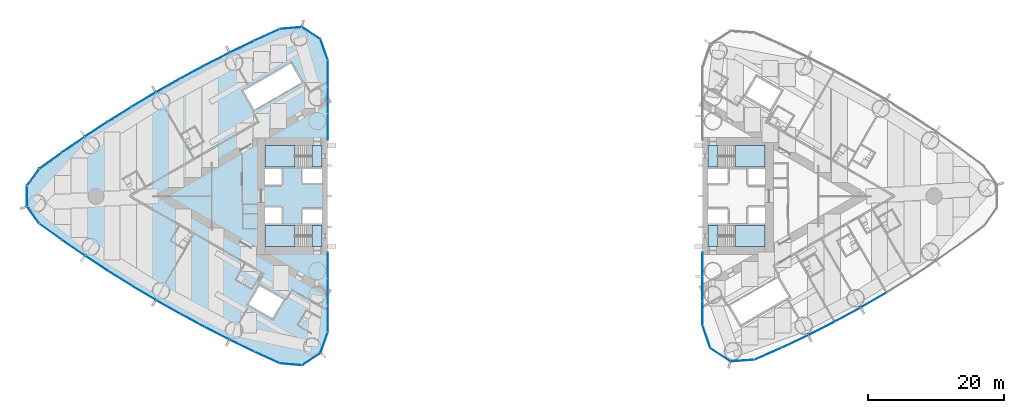
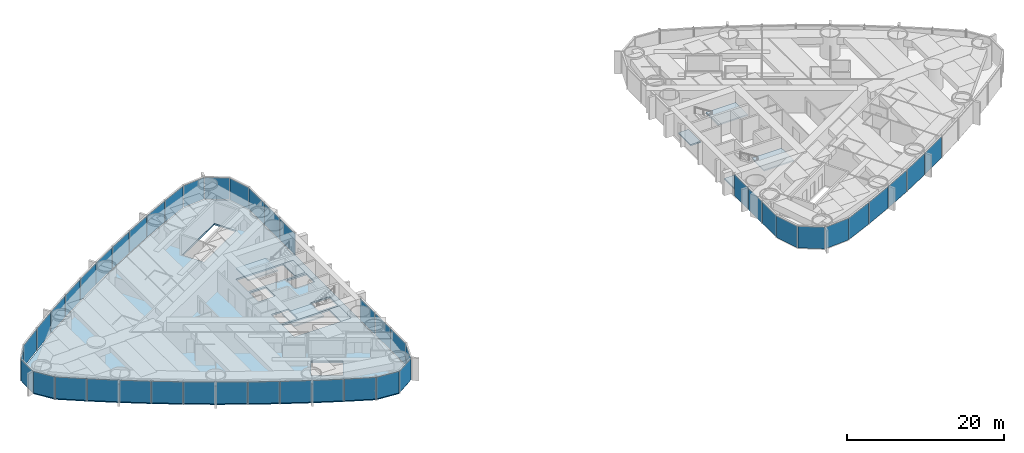
# One storey, part 9 of 18: 46 plates, 9 slabs, 6 elements without a shape of their own.
"""IFC4 building model written with IfcOpenShell, lengths in metres."""

from ifc_helpers import new_model, si_unit, direction, frame, origin, origin_2d, place, context, subcontext, project, spatial, polyline, rectangle, outline, extrude, material, layer, layer_set, type_object, element, aggregate, save


model = new_model("IFC4")

# Units and contexts
model_context = context("Model", 3, precision=1e-05, world=origin(), true_north=direction((0.0, 1.0)))
body_context = subcontext(model_context, "Body", "Model", "MODEL_VIEW")
ifc_project = project(units=[si_unit("LENGTHUNIT", "METRE"), si_unit("AREAUNIT", "SQUARE_METRE"), si_unit("VOLUMEUNIT", "CUBIC_METRE"), si_unit("PLANEANGLEUNIT", "RADIAN"), si_unit("MASSUNIT", "GRAM", prefix="KILO")], contexts=[model_context])

# Site, building, storey
site_placement = place(None, origin())
site = spatial("IfcSite", under=ifc_project, at=site_placement, CompositionType="ELEMENT")
building_placement = place(site_placement, origin())
building = spatial("IfcBuilding", under=site, at=building_placement, Name="Lancet Gate Hotel", CompositionType="ELEMENT")
storey_placement = place(building_placement, frame((0.0, 0.0, 97.60009765625)))
storey = spatial("IfcBuildingStorey", under=building, at=storey_placement, Name="L25", CompositionType="ELEMENT", Elevation=97.60009765625)

# Slab
ifc_material_1 = material(Name="Concrete C50/60", Category="concrete")
ifc_layer_1 = layer(ifc_material_1, 0.25)
ifc_layer_set_1 = layer_set([ifc_layer_1], Name="Floor slab 250")
slab_type_1 = type_object("IfcSlabType", Name="Floor slab 250", PredefinedType="FLOOR", material=ifc_layer_set_1)
slab_1_placement = place(storey_placement, frame((0.0, 0.0, -0.25)))
element("IfcSlab", 1, at=slab_1_placement, inside=storey, type_object=slab_type_1, Name="T1 L25 floor slab", PredefinedType="FLOOR", context=body_context, shape_type="SweptSolid", body=[
    extrude(outline(polyline([(-27.5, 8.60009765625), (-27.6201171875, 8.60009765625), (-27.6201171875, 19.950927734375), (-28.65966796875, 22.970947265625), (-31.320068359375, 24.69921875), (-34.5009765625, 24.421630859375), (-38.201416015625, 22.727783203125), (-41.8818359375, 20.946044921875), (-45.523193359375, 19.085693359375), (-49.12353515625, 17.147216796875), (-52.681396484375, 15.131591796875), (-56.195068359375, 13.0400390625), (-59.662841796875, 10.873291015625), (-63.0830078125, 8.63232421875), (-66.454345703125, 6.318115234375), (-69.76025390625, 3.94287109375), (-71.523193359375, 1.49755859375), (-71.523193359375, -1.49755859375), (-69.76025390625, -3.94287109375), (-66.454345703125, -6.318115234375), (-63.0830078125, -8.63232421875), (-59.662841796875, -10.873291015625), (-56.195068359375, -13.0400390625), (-52.681396484375, -15.131591796875), (-49.12353515625, -17.147216796875), (-45.523193359375, -19.085693359375), (-41.8818359375, -20.946044921875), (-38.201416015625, -22.727783203125), (-34.5009765625, -24.421630859375), (-31.320068359375, -24.69921875), (-28.65966796875, -22.970947265625), (-27.6201171875, -19.950927734375), (-27.6201171875, -8.60009765625), (-27.5, -8.60009765625), (-27.5, -8.199951171875), (-27.5, 8.199951171875), (-27.5, 8.60009765625)]), holes=[polyline([(-36.699951171875, 7.39990234375), (-36.699951171875, 4.300048828125), (-28.300048828125, 4.300048828125), (-28.300048828125, 7.39990234375), (-36.699951171875, 7.39990234375)]), polyline([(-28.300048828125, 4.0), (-31.199951171875, 4.0), (-31.199951171875, 1.89990234375), (-28.300048828125, 1.89990234375), (-28.300048828125, 4.0)]), polyline([(-34.25, 4.0), (-36.699951171875, 4.0), (-36.699951171875, 1.64990234375), (-34.25, 1.64990234375), (-34.25, 4.0)]), polyline([(-36.699951171875, -1.64990234375), (-36.699951171875, -4.0), (-34.25, -4.0), (-34.25, -1.64990234375), (-36.699951171875, -1.64990234375)]), polyline([(-28.300048828125, -1.89990234375), (-31.199951171875, -1.89990234375), (-31.199951171875, -4.0), (-28.300048828125, -4.0), (-28.300048828125, -1.89990234375)]), polyline([(-28.300048828125, -4.300048828125), (-36.699951171875, -4.300048828125), (-36.699951171875, -7.39990234375), (-28.300048828125, -7.39990234375), (-28.300048828125, -4.300048828125)]), polyline([(-31.2900390625, 16.73095703125), (-32.889892578125, 19.501953125), (-39.904052734375, 15.451904296875), (-38.303955078125, 12.680908203125), (-31.2900390625, 16.73095703125)]), polyline([(-33.97412109375, -15.180908203125), (-37.52490234375, -13.131103515625), (-39.125, -15.902099609375), (-35.573974609375, -17.951904296875), (-33.97412109375, -15.180908203125)])]), origin(), (0.0, 0.0, 1.0), 0.25),
])

# Stair, slabs
ifc_material_2 = material(Name="Exit stair 20 risers 1500")
stair_type = type_object("IfcStairType", Name="Exit stair 20 risers 1500", PredefinedType="HALF_TURN_STAIR", material=ifc_material_2)
stair_1_placement = place(storey_placement, origin())
stair_1 = element("IfcStair", 2, at=stair_1_placement, inside=storey, type_object=stair_type, Name="T1 stair 1 L25", PredefinedType="HALF_TURN_STAIR")
ifc_material_3 = material(Name="Concrete C40/50", Category="concrete")
ifc_layer_2 = layer(ifc_material_3, 0.199951171875)
ifc_layer_set_2 = layer_set([ifc_layer_2], Name="Stair landing 200")
slab_type_2 = type_object("IfcSlabType", Name="Stair landing 200", PredefinedType="LANDING", material=ifc_layer_set_2)
slab_2_placement = place(storey_placement, frame((0.0, 0.0, -0.2001953125)))
slab_2 = element("IfcSlab", 3, at=slab_2_placement, type_object=slab_type_2, Name="ST1 landing 1", PredefinedType="LANDING", context=body_context, shape_type="SweptSolid", body=[
    extrude(outline(polyline([(-28.300048828125, 7.39990234375), (-29.800048828125, 7.39990234375), (-29.800048828125, 4.300048828125), (-28.300048828125, 4.300048828125), (-28.300048828125, 7.39990234375)])), origin(), (0.0, 0.0, 1.0), 0.2001953125),
])
slab_3_placement = place(storey_placement, frame((0.0, 0.0, 1.5498046875)))
slab_3 = element("IfcSlab", 4, at=slab_3_placement, type_object=slab_type_2, Name="ST1 landing 2", PredefinedType="LANDING", context=body_context, shape_type="SweptSolid", body=[
    extrude(outline(polyline([(-32.320068359375, 7.39990234375), (-36.699951171875, 7.39990234375), (-36.699951171875, 4.300048828125), (-32.320068359375, 4.300048828125), (-32.320068359375, 7.39990234375)])), origin(), (0.0, 0.0, 1.0), 0.2001953125),
])
aggregate(stair_1, [slab_2, slab_3])

stair_2_placement = place(storey_placement, origin())
stair_2 = element("IfcStair", 5, at=stair_2_placement, inside=storey, type_object=stair_type, Name="T1 stair 2 L25", PredefinedType="HALF_TURN_STAIR")
slab_4_placement = place(storey_placement, frame((0.0, 0.0, -0.2001953125)))
slab_4 = element("IfcSlab", 6, at=slab_4_placement, type_object=slab_type_2, Name="ST2 landing 1", PredefinedType="LANDING", context=body_context, shape_type="SweptSolid", body=[
    extrude(outline(polyline([(-28.300048828125, -4.300048828125), (-29.800048828125, -4.300048828125), (-29.800048828125, -7.39990234375), (-28.300048828125, -7.39990234375), (-28.300048828125, -4.300048828125)])), origin(), (0.0, 0.0, 1.0), 0.2001953125),
])
slab_5_placement = place(storey_placement, frame((0.0, 0.0, 1.5498046875)))
slab_5 = element("IfcSlab", 7, at=slab_5_placement, type_object=slab_type_2, Name="ST2 landing 2", PredefinedType="LANDING", context=body_context, shape_type="SweptSolid", body=[
    extrude(outline(polyline([(-32.320068359375, -4.300048828125), (-36.699951171875, -4.300048828125), (-36.699951171875, -7.39990234375), (-32.320068359375, -7.39990234375), (-32.320068359375, -4.300048828125)])), origin(), (0.0, 0.0, 1.0), 0.2001953125),
])
aggregate(stair_2, [slab_4, slab_5])

stair_3_placement = place(storey_placement, origin())
stair_3 = element("IfcStair", 8, at=stair_3_placement, inside=storey, type_object=stair_type, Name="T2 stair 1 L25", PredefinedType="HALF_TURN_STAIR")
slab_6_placement = place(storey_placement, frame((0.0, 0.0, -0.2001953125)))
slab_6 = element("IfcSlab", 9, at=slab_6_placement, type_object=slab_type_2, Name="ST3 landing 1", PredefinedType="LANDING", context=body_context, shape_type="SweptSolid", body=[
    extrude(outline(polyline([(28.300048828125, -7.39990234375), (29.800048828125, -7.39990234375), (29.800048828125, -4.300048828125), (28.300048828125, -4.300048828125), (28.300048828125, -7.39990234375)])), origin(), (0.0, 0.0, 1.0), 0.2001953125),
])
slab_7_placement = place(storey_placement, frame((0.0, 0.0, 1.5498046875)))
slab_7 = element("IfcSlab", 10, at=slab_7_placement, type_object=slab_type_2, Name="ST3 landing 2", PredefinedType="LANDING", context=body_context, shape_type="SweptSolid", body=[
    extrude(outline(polyline([(32.320068359375, -7.39990234375), (36.699951171875, -7.39990234375), (36.699951171875, -4.300048828125), (32.320068359375, -4.300048828125), (32.320068359375, -7.39990234375)])), origin(), (0.0, 0.0, 1.0), 0.2001953125),
])
aggregate(stair_3, [slab_6, slab_7])

stair_4_placement = place(storey_placement, origin())
stair_4 = element("IfcStair", 11, at=stair_4_placement, inside=storey, type_object=stair_type, Name="T2 stair 2 L25", PredefinedType="HALF_TURN_STAIR")
slab_8_placement = place(storey_placement, frame((0.0, 0.0, -0.2001953125)))
slab_8 = element("IfcSlab", 12, at=slab_8_placement, type_object=slab_type_2, Name="ST4 landing 1", PredefinedType="LANDING", context=body_context, shape_type="SweptSolid", body=[
    extrude(outline(polyline([(28.300048828125, 4.300048828125), (29.800048828125, 4.300048828125), (29.800048828125, 7.39990234375), (28.300048828125, 7.39990234375), (28.300048828125, 4.300048828125)])), origin(), (0.0, 0.0, 1.0), 0.2001953125),
])
slab_9_placement = place(storey_placement, frame((0.0, 0.0, 1.5498046875)))
slab_9 = element("IfcSlab", 13, at=slab_9_placement, type_object=slab_type_2, Name="ST4 landing 2", PredefinedType="LANDING", context=body_context, shape_type="SweptSolid", body=[
    extrude(outline(polyline([(32.320068359375, 4.300048828125), (36.699951171875, 4.300048828125), (36.699951171875, 7.39990234375), (32.320068359375, 7.39990234375), (32.320068359375, 4.300048828125)])), origin(), (0.0, 0.0, 1.0), 0.2001953125),
])
aggregate(stair_4, [slab_8, slab_9])

# Curtain wall, plates
ifc_material_4 = material(Name="Aluminium curtain wall", Category="aluminium")
curtain_wall_type = type_object("IfcCurtainWallType", Name="Tower unitised curtain wall", PredefinedType="USERDEFINED", material=ifc_material_4)
curtain_wall_1_placement = place(storey_placement, origin())
curtain_wall_1 = element("IfcCurtainWall", 14, at=curtain_wall_1_placement, inside=storey, type_object=curtain_wall_type, Name="T1 L25 curtain wall 1", ObjectType="UNITISED CURTAIN WALL", PredefinedType="USERDEFINED")
ifc_material_5 = material(Name="Glass double glazed unit 8-16-6", Category="glass")
ifc_layer_3 = layer(ifc_material_5, 0.030029296875)
ifc_layer_set_3 = layer_set([ifc_layer_3], Name="Vision panel double glazed")
plate_type = type_object("IfcPlateType", Name="Vision panel double glazed", PredefinedType="CURTAIN_PANEL", material=ifc_layer_set_3)
plate_1_placement = place(storey_placement, frame((-27.5, 10.161865234375, -0.000244140625), z_axis=(0.0, 0.0, 1.0), x_axis=(0.0, 1.0, 0.0)))
plate_1 = element("IfcPlate", 15, at=plate_1_placement, type_object=plate_type, Name="T1 L25 curtain wall 1 panel 1", PredefinedType="CURTAIN_PANEL", context=body_context, shape_type="SweptSolid", body=[
    extrude(rectangle(XDim=3.858642578125, YDim=0.030029296875, at=origin_2d()), origin(), (0.0, 0.0, 1.0), 3.35009765625),
])
plate_2_placement = place(storey_placement, frame((-27.5, 14.08544921875, -0.000244140625), z_axis=(0.0, 0.0, 1.0), x_axis=(0.0, 1.0, 0.0)))
plate_2 = element("IfcPlate", 16, at=plate_2_placement, type_object=plate_type, Name="T1 L25 curtain wall 1 panel 2", PredefinedType="CURTAIN_PANEL", context=body_context, shape_type="SweptSolid", body=[
    extrude(rectangle(XDim=3.858642578125, YDim=0.030029296875, at=origin_2d()), origin(), (0.0, 0.0, 1.0), 3.35009765625),
])
plate_3_placement = place(storey_placement, frame((-27.5, 18.00927734375, -0.000244140625), z_axis=(0.0, 0.0, 1.0), x_axis=(0.0, 1.0, 0.0)))
plate_3 = element("IfcPlate", 17, at=plate_3_placement, type_object=plate_type, Name="T1 L25 curtain wall 1 panel 3", PredefinedType="CURTAIN_PANEL", context=body_context, shape_type="SweptSolid", body=[
    extrude(rectangle(XDim=3.858642578125, YDim=0.030029296875, at=origin_2d()), origin(), (0.0, 0.0, 1.0), 3.35009765625),
])
plate_4_placement = place(storey_placement, frame((-28.02978515625, 21.510009765625, -0.000244140625), z_axis=(0.0, 0.0, 1.0), x_axis=(-0.325515820766, 0.945536593914, 0.0)))
plate_4 = element("IfcPlate", 18, at=plate_4_placement, type_object=plate_type, Name="T1 L25 curtain wall 1 panel 4", PredefinedType="CURTAIN_PANEL", context=body_context, shape_type="SweptSolid", body=[
    extrude(rectangle(XDim=3.190185546875, YDim=0.030029296875, at=origin_2d()), origin(), (0.0, 0.0, 1.0), 3.35009765625),
])
plate_5_placement = place(storey_placement, frame((-29.924560546875, 23.935546875, -0.000244140625), z_axis=(0.0, 0.0, 1.0), x_axis=(-0.838580121261, 0.544778285385, 0.0)))
plate_5 = element("IfcPlate", 19, at=plate_5_placement, type_object=plate_type, Name="T1 L25 curtain wall 1 panel 5", PredefinedType="CURTAIN_PANEL", context=body_context, shape_type="SweptSolid", body=[
    extrude(rectangle(XDim=3.190185546875, YDim=0.030029296875, at=origin_2d()), origin(), (0.0, 0.0, 1.0), 3.35009765625),
])
plate_6_placement = place(storey_placement, frame((-32.91064453125, 24.680908203125, -0.000244140625), z_axis=(0.0, 0.0, 1.0), x_axis=(-0.996218779711, -0.086880049207, 0.0)))
plate_6 = element("IfcPlate", 20, at=plate_6_placement, type_object=plate_type, Name="T1 L25 curtain wall 1 panel 6", PredefinedType="CURTAIN_PANEL", context=body_context, shape_type="SweptSolid", body=[
    extrude(rectangle(XDim=3.190185546875, YDim=0.030029296875, at=origin_2d()), origin(), (0.0, 0.0, 1.0), 3.35009765625),
])
plate_7_placement = place(storey_placement, frame((-36.392333984375, 23.68798828125, -0.000244140625), z_axis=(0.0, 0.0, 1.0), x_axis=(-0.909252721243, -0.416244506166, 0.0)))
plate_7 = element("IfcPlate", 21, at=plate_7_placement, type_object=plate_type, Name="T1 L25 curtain wall 1 panel 7", PredefinedType="CURTAIN_PANEL", context=body_context, shape_type="SweptSolid", body=[
    extrude(rectangle(XDim=4.026611328125, YDim=0.030029296875, at=origin_2d()), origin(), (0.0, 0.0, 1.0), 3.35009765625),
])
plate_8_placement = place(storey_placement, frame((-40.093994140625, 21.945068359375, -0.000244140625), z_axis=(0.0, 0.0, 1.0), x_axis=(-0.900081672047, -0.435721222395, 0.0)))
plate_8 = element("IfcPlate", 22, at=plate_8_placement, type_object=plate_type, Name="T1 L25 curtain wall 1 panel 8", PredefinedType="CURTAIN_PANEL", context=body_context, shape_type="SweptSolid", body=[
    extrude(rectangle(XDim=4.026611328125, YDim=0.030029296875, at=origin_2d()), origin(), (0.0, 0.0, 1.0), 3.35009765625),
])
plate_9_placement = place(storey_placement, frame((-43.757080078125, 20.122802734375, -0.000244140625), z_axis=(0.0, 0.0, 1.0), x_axis=(-0.890493479451, -0.45499600334, 0.0)))
plate_9 = element("IfcPlate", 23, at=plate_9_placement, type_object=plate_type, Name="T1 L25 curtain wall 1 panel 9", PredefinedType="CURTAIN_PANEL", context=body_context, shape_type="SweptSolid", body=[
    extrude(rectangle(XDim=4.026611328125, YDim=0.030029296875, at=origin_2d()), origin(), (0.0, 0.0, 1.0), 3.35009765625),
])
plate_10_placement = place(storey_placement, frame((-47.380126953125, 18.221923828125, -0.000244140625), z_axis=(0.0, 0.0, 1.0), x_axis=(-0.880492587094, -0.474059916121, 0.0)))
plate_10 = element("IfcPlate", 24, at=plate_10_placement, type_object=plate_type, Name="T1 L25 curtain wall 1 panel 10", PredefinedType="CURTAIN_PANEL", context=body_context, shape_type="SweptSolid", body=[
    extrude(rectangle(XDim=4.026611328125, YDim=0.030029296875, at=origin_2d()), origin(), (0.0, 0.0, 1.0), 3.35009765625),
])
plate_11_placement = place(storey_placement, frame((-50.961669921875, 16.243896484375, -0.000244140625), z_axis=(0.0, 0.0, 1.0), x_axis=(-0.870083629903, -0.49290412554, 0.0)))
plate_11 = element("IfcPlate", 25, at=plate_11_placement, type_object=plate_type, Name="T1 L25 curtain wall 1 panel 11", PredefinedType="CURTAIN_PANEL", context=body_context, shape_type="SweptSolid", body=[
    extrude(rectangle(XDim=4.026611328125, YDim=0.030029296875, at=origin_2d()), origin(), (0.0, 0.0, 1.0), 3.35009765625),
])
plate_12_placement = place(storey_placement, frame((-54.49951171875, 14.18896484375, -0.000244140625), z_axis=(0.0, 0.0, 1.0), x_axis=(-0.859271431916, -0.511519898238, 0.0)))
plate_12 = element("IfcPlate", 26, at=plate_12_placement, type_object=plate_type, Name="T1 L25 curtain wall 1 panel 12", PredefinedType="CURTAIN_PANEL", context=body_context, shape_type="SweptSolid", body=[
    extrude(rectangle(XDim=4.026611328125, YDim=0.030029296875, at=origin_2d()), origin(), (0.0, 0.0, 1.0), 3.35009765625),
])
plate_13_placement = place(storey_placement, frame((-57.992431640625, 12.058349609375, -0.000244140625), z_axis=(0.0, 0.0, 1.0), x_axis=(-0.848061004052, -0.529898606722, 0.0)))
plate_13 = element("IfcPlate", 27, at=plate_13_placement, type_object=plate_type, Name="T1 L25 curtain wall 1 panel 13", PredefinedType="CURTAIN_PANEL", context=body_context, shape_type="SweptSolid", body=[
    extrude(rectangle(XDim=4.026611328125, YDim=0.030029296875, at=origin_2d()), origin(), (0.0, 0.0, 1.0), 3.35009765625),
])
plate_14_placement = place(storey_placement, frame((-61.438720703125, 9.85302734375, -0.000244140625), z_axis=(0.0, 0.0, 1.0), x_axis=(-0.836457541791, -0.54803173337, 0.0)))
plate_14 = element("IfcPlate", 28, at=plate_14_placement, type_object=plate_type, Name="T1 L25 curtain wall 1 panel 14", PredefinedType="CURTAIN_PANEL", context=body_context, shape_type="SweptSolid", body=[
    extrude(rectangle(XDim=4.026611328125, YDim=0.030029296875, at=origin_2d()), origin(), (0.0, 0.0, 1.0), 3.35009765625),
])
plate_15_placement = place(storey_placement, frame((-64.836669921875, 7.57421875, -0.000244140625), z_axis=(0.0, 0.0, 1.0), x_axis=(-0.824466422775, -0.565910874357, 0.0)))
plate_15 = element("IfcPlate", 29, at=plate_15_placement, type_object=plate_type, Name="T1 L25 curtain wall 1 panel 15", PredefinedType="CURTAIN_PANEL", context=body_context, shape_type="SweptSolid", body=[
    extrude(rectangle(XDim=4.026611328125, YDim=0.030029296875, at=origin_2d()), origin(), (0.0, 0.0, 1.0), 3.35009765625),
])
plate_16_placement = place(storey_placement, frame((-68.184814453125, 5.22265625, -0.000244140625), z_axis=(0.0, 0.0, 1.0), x_axis=(-0.812093204276, -0.583527743615, 0.0)))
plate_16 = element("IfcPlate", 30, at=plate_16_placement, type_object=plate_type, Name="T1 L25 curtain wall 1 panel 16", PredefinedType="CURTAIN_PANEL", context=body_context, shape_type="SweptSolid", body=[
    extrude(rectangle(XDim=4.026611328125, YDim=0.030029296875, at=origin_2d()), origin(), (0.0, 0.0, 1.0), 3.35009765625),
])
plate_17_placement = place(storey_placement, frame((-70.74462890625, 2.782470703125, -0.000244140625), z_axis=(0.0, 0.0, 1.0), x_axis=(-0.584808645706, -0.811171281486, 0.0)))
plate_17 = element("IfcPlate", 31, at=plate_17_placement, type_object=plate_type, Name="T1 L25 curtain wall 1 panel 17", PredefinedType="CURTAIN_PANEL", context=body_context, shape_type="SweptSolid", body=[
    extrude(rectangle(XDim=3.0078125, YDim=0.030029296875, at=origin_2d()), origin(), (0.0, 0.0, 1.0), 3.35009765625),
])
plate_18_placement = place(storey_placement, frame((-71.64306640625, 0.0, -0.000244140625), z_axis=(0.0, 0.0, 1.0), x_axis=(0.0, -1.0, 0.0)))
plate_18 = element("IfcPlate", 32, at=plate_18_placement, type_object=plate_type, Name="T1 L25 curtain wall 1 panel 18", PredefinedType="CURTAIN_PANEL", context=body_context, shape_type="SweptSolid", body=[
    extrude(rectangle(XDim=3.0078125, YDim=0.030029296875, at=origin_2d()), origin(), (0.0, 0.0, 1.0), 3.35009765625),
])
plate_19_placement = place(storey_placement, frame((-70.74462890625, -2.782470703125, -0.000244140625), z_axis=(0.0, 0.0, 1.0), x_axis=(0.584808645706, -0.811171281486, 0.0)))
plate_19 = element("IfcPlate", 33, at=plate_19_placement, type_object=plate_type, Name="T1 L25 curtain wall 1 panel 19", PredefinedType="CURTAIN_PANEL", context=body_context, shape_type="SweptSolid", body=[
    extrude(rectangle(XDim=3.0078125, YDim=0.030029296875, at=origin_2d()), origin(), (0.0, 0.0, 1.0), 3.35009765625),
])
plate_20_placement = place(storey_placement, frame((-68.184814453125, -5.22265625, -0.000244140625), z_axis=(0.0, 0.0, 1.0), x_axis=(0.812093204276, -0.583527743615, 0.0)))
plate_20 = element("IfcPlate", 34, at=plate_20_placement, type_object=plate_type, Name="T1 L25 curtain wall 1 panel 20", PredefinedType="CURTAIN_PANEL", context=body_context, shape_type="SweptSolid", body=[
    extrude(rectangle(XDim=4.026611328125, YDim=0.030029296875, at=origin_2d()), origin(), (0.0, 0.0, 1.0), 3.35009765625),
])
plate_21_placement = place(storey_placement, frame((-64.836669921875, -7.57421875, -0.000244140625), z_axis=(0.0, 0.0, 1.0), x_axis=(0.824466422775, -0.565910874357, 0.0)))
plate_21 = element("IfcPlate", 35, at=plate_21_placement, type_object=plate_type, Name="T1 L25 curtain wall 1 panel 21", PredefinedType="CURTAIN_PANEL", context=body_context, shape_type="SweptSolid", body=[
    extrude(rectangle(XDim=4.026611328125, YDim=0.030029296875, at=origin_2d()), origin(), (0.0, 0.0, 1.0), 3.35009765625),
])
plate_22_placement = place(storey_placement, frame((-61.438720703125, -9.85302734375, -0.000244140625), z_axis=(0.0, 0.0, 1.0), x_axis=(0.836457541791, -0.54803173337, 0.0)))
plate_22 = element("IfcPlate", 36, at=plate_22_placement, type_object=plate_type, Name="T1 L25 curtain wall 1 panel 22", PredefinedType="CURTAIN_PANEL", context=body_context, shape_type="SweptSolid", body=[
    extrude(rectangle(XDim=4.026611328125, YDim=0.030029296875, at=origin_2d()), origin(), (0.0, 0.0, 1.0), 3.35009765625),
])
plate_23_placement = place(storey_placement, frame((-57.992431640625, -12.058349609375, -0.000244140625), z_axis=(0.0, 0.0, 1.0), x_axis=(0.848061004052, -0.529898606722, 0.0)))
plate_23 = element("IfcPlate", 37, at=plate_23_placement, type_object=plate_type, Name="T1 L25 curtain wall 1 panel 23", PredefinedType="CURTAIN_PANEL", context=body_context, shape_type="SweptSolid", body=[
    extrude(rectangle(XDim=4.026611328125, YDim=0.030029296875, at=origin_2d()), origin(), (0.0, 0.0, 1.0), 3.35009765625),
])
plate_24_placement = place(storey_placement, frame((-54.49951171875, -14.18896484375, -0.000244140625), z_axis=(0.0, 0.0, 1.0), x_axis=(0.859271431916, -0.511519898238, 0.0)))
plate_24 = element("IfcPlate", 38, at=plate_24_placement, type_object=plate_type, Name="T1 L25 curtain wall 1 panel 24", PredefinedType="CURTAIN_PANEL", context=body_context, shape_type="SweptSolid", body=[
    extrude(rectangle(XDim=4.026611328125, YDim=0.030029296875, at=origin_2d()), origin(), (0.0, 0.0, 1.0), 3.35009765625),
])
plate_25_placement = place(storey_placement, frame((-50.961669921875, -16.243896484375, -0.000244140625), z_axis=(0.0, 0.0, 1.0), x_axis=(0.870083629903, -0.49290412554, 0.0)))
plate_25 = element("IfcPlate", 39, at=plate_25_placement, type_object=plate_type, Name="T1 L25 curtain wall 1 panel 25", PredefinedType="CURTAIN_PANEL", context=body_context, shape_type="SweptSolid", body=[
    extrude(rectangle(XDim=4.026611328125, YDim=0.030029296875, at=origin_2d()), origin(), (0.0, 0.0, 1.0), 3.35009765625),
])
plate_26_placement = place(storey_placement, frame((-47.380126953125, -18.221923828125, -0.000244140625), z_axis=(0.0, 0.0, 1.0), x_axis=(0.880492587094, -0.474059916121, 0.0)))
plate_26 = element("IfcPlate", 40, at=plate_26_placement, type_object=plate_type, Name="T1 L25 curtain wall 1 panel 26", PredefinedType="CURTAIN_PANEL", context=body_context, shape_type="SweptSolid", body=[
    extrude(rectangle(XDim=4.026611328125, YDim=0.030029296875, at=origin_2d()), origin(), (0.0, 0.0, 1.0), 3.35009765625),
])
plate_27_placement = place(storey_placement, frame((-43.757080078125, -20.122802734375, -0.000244140625), z_axis=(0.0, 0.0, 1.0), x_axis=(0.890493479451, -0.45499600334, 0.0)))
plate_27 = element("IfcPlate", 41, at=plate_27_placement, type_object=plate_type, Name="T1 L25 curtain wall 1 panel 27", PredefinedType="CURTAIN_PANEL", context=body_context, shape_type="SweptSolid", body=[
    extrude(rectangle(XDim=4.026611328125, YDim=0.030029296875, at=origin_2d()), origin(), (0.0, 0.0, 1.0), 3.35009765625),
])
plate_28_placement = place(storey_placement, frame((-40.093994140625, -21.945068359375, -0.000244140625), z_axis=(0.0, 0.0, 1.0), x_axis=(0.900081672047, -0.435721222395, 0.0)))
plate_28 = element("IfcPlate", 42, at=plate_28_placement, type_object=plate_type, Name="T1 L25 curtain wall 1 panel 28", PredefinedType="CURTAIN_PANEL", context=body_context, shape_type="SweptSolid", body=[
    extrude(rectangle(XDim=4.026611328125, YDim=0.030029296875, at=origin_2d()), origin(), (0.0, 0.0, 1.0), 3.35009765625),
])
plate_29_placement = place(storey_placement, frame((-36.392333984375, -23.68798828125, -0.000244140625), z_axis=(0.0, 0.0, 1.0), x_axis=(0.909252721243, -0.416244506166, 0.0)))
plate_29 = element("IfcPlate", 43, at=plate_29_placement, type_object=plate_type, Name="T1 L25 curtain wall 1 panel 29", PredefinedType="CURTAIN_PANEL", context=body_context, shape_type="SweptSolid", body=[
    extrude(rectangle(XDim=4.026611328125, YDim=0.030029296875, at=origin_2d()), origin(), (0.0, 0.0, 1.0), 3.35009765625),
])
plate_30_placement = place(storey_placement, frame((-32.91064453125, -24.680908203125, -0.000244140625), z_axis=(0.0, 0.0, 1.0), x_axis=(0.996218779711, -0.086880049207, 0.0)))
plate_30 = element("IfcPlate", 44, at=plate_30_placement, type_object=plate_type, Name="T1 L25 curtain wall 1 panel 30", PredefinedType="CURTAIN_PANEL", context=body_context, shape_type="SweptSolid", body=[
    extrude(rectangle(XDim=3.190185546875, YDim=0.030029296875, at=origin_2d()), origin(), (0.0, 0.0, 1.0), 3.35009765625),
])
plate_31_placement = place(storey_placement, frame((-29.924560546875, -23.935546875, -0.000244140625), z_axis=(0.0, 0.0, 1.0), x_axis=(0.838580121261, 0.544778285385, 0.0)))
plate_31 = element("IfcPlate", 45, at=plate_31_placement, type_object=plate_type, Name="T1 L25 curtain wall 1 panel 31", PredefinedType="CURTAIN_PANEL", context=body_context, shape_type="SweptSolid", body=[
    extrude(rectangle(XDim=3.190185546875, YDim=0.030029296875, at=origin_2d()), origin(), (0.0, 0.0, 1.0), 3.35009765625),
])
plate_32_placement = place(storey_placement, frame((-28.02978515625, -21.510009765625, -0.000244140625), z_axis=(0.0, 0.0, 1.0), x_axis=(0.325515820766, 0.945536593914, 0.0)))
plate_32 = element("IfcPlate", 46, at=plate_32_placement, type_object=plate_type, Name="T1 L25 curtain wall 1 panel 32", PredefinedType="CURTAIN_PANEL", context=body_context, shape_type="SweptSolid", body=[
    extrude(rectangle(XDim=3.190185546875, YDim=0.030029296875, at=origin_2d()), origin(), (0.0, 0.0, 1.0), 3.35009765625),
])
plate_33_placement = place(storey_placement, frame((-27.5, -18.00927734375, -0.000244140625), z_axis=(0.0, 0.0, 1.0), x_axis=(0.0, 1.0, 0.0)))
plate_33 = element("IfcPlate", 47, at=plate_33_placement, type_object=plate_type, Name="T1 L25 curtain wall 1 panel 33", PredefinedType="CURTAIN_PANEL", context=body_context, shape_type="SweptSolid", body=[
    extrude(rectangle(XDim=3.858642578125, YDim=0.030029296875, at=origin_2d()), origin(), (0.0, 0.0, 1.0), 3.35009765625),
])
plate_34_placement = place(storey_placement, frame((-27.5, -14.08544921875, -0.000244140625), z_axis=(0.0, 0.0, 1.0), x_axis=(0.0, 1.0, 0.0)))
plate_34 = element("IfcPlate", 48, at=plate_34_placement, type_object=plate_type, Name="T1 L25 curtain wall 1 panel 34", PredefinedType="CURTAIN_PANEL", context=body_context, shape_type="SweptSolid", body=[
    extrude(rectangle(XDim=3.858642578125, YDim=0.030029296875, at=origin_2d()), origin(), (0.0, 0.0, 1.0), 3.35009765625),
])
plate_35_placement = place(storey_placement, frame((-27.5, -10.161865234375, -0.000244140625), z_axis=(0.0, 0.0, 1.0), x_axis=(0.0, 1.0, 0.0)))
plate_35 = element("IfcPlate", 49, at=plate_35_placement, type_object=plate_type, Name="T1 L25 curtain wall 1 panel 35", PredefinedType="CURTAIN_PANEL", context=body_context, shape_type="SweptSolid", body=[
    extrude(rectangle(XDim=3.858642578125, YDim=0.030029296875, at=origin_2d()), origin(), (0.0, 0.0, 1.0), 3.35009765625),
])
aggregate(curtain_wall_1, [plate_1, plate_2, plate_3, plate_4, plate_5, plate_6, plate_7, plate_8, plate_9, plate_10, plate_11, plate_12, plate_13, plate_14, plate_15, plate_16, plate_17, plate_18, plate_19, plate_20, plate_21, plate_22, plate_23, plate_24, plate_25, plate_26, plate_27, plate_28, plate_29, plate_30, plate_31, plate_32, plate_33, plate_34, plate_35])

curtain_wall_2_placement = place(storey_placement, origin())
curtain_wall_2 = element("IfcCurtainWall", 50, at=curtain_wall_2_placement, inside=storey, type_object=curtain_wall_type, Name="T2 L25 curtain wall 1", ObjectType="UNITISED CURTAIN WALL", PredefinedType="USERDEFINED")
plate_36_placement = place(storey_placement, frame((27.5, -9.990478515625, -0.000244140625), z_axis=(0.0, 0.0, 1.0), x_axis=(0.0, -1.0, 0.0)))
plate_36 = element("IfcPlate", 51, at=plate_36_placement, type_object=plate_type, Name="T2 L25 curtain wall 1 panel 1", PredefinedType="CURTAIN_PANEL", context=body_context, shape_type="SweptSolid", body=[
    extrude(rectangle(XDim=3.515869140625, YDim=0.030029296875, at=origin_2d()), origin(), (0.0, 0.0, 1.0), 3.35009765625),
])
plate_37_placement = place(storey_placement, frame((27.5, -13.571533203125, -0.000244140625), z_axis=(0.0, 0.0, 1.0), x_axis=(0.0, -1.0, 0.0)))
plate_37 = element("IfcPlate", 52, at=plate_37_placement, type_object=plate_type, Name="T2 L25 curtain wall 1 panel 2", PredefinedType="CURTAIN_PANEL", context=body_context, shape_type="SweptSolid", body=[
    extrude(rectangle(XDim=3.515869140625, YDim=0.030029296875, at=origin_2d()), origin(), (0.0, 0.0, 1.0), 3.35009765625),
])
plate_38_placement = place(storey_placement, frame((27.5, -17.15234375, -0.000244140625), z_axis=(0.0, 0.0, 1.0), x_axis=(0.0, -1.0, 0.0)))
plate_38 = element("IfcPlate", 53, at=plate_38_placement, type_object=plate_type, Name="T2 L25 curtain wall 1 panel 3", PredefinedType="CURTAIN_PANEL", context=body_context, shape_type="SweptSolid", body=[
    extrude(rectangle(XDim=3.515869140625, YDim=0.030029296875, at=origin_2d()), origin(), (0.0, 0.0, 1.0), 3.35009765625),
])
plate_39_placement = place(storey_placement, frame((28.072265625, -20.622314453125, -0.000244140625), z_axis=(0.0, 0.0, 1.0), x_axis=(0.32257568891, -0.946543673015, 0.0)))
plate_39 = element("IfcPlate", 54, at=plate_39_placement, type_object=plate_type, Name="T2 L25 curtain wall 1 panel 4", PredefinedType="CURTAIN_PANEL", context=body_context, shape_type="SweptSolid", body=[
    extrude(rectangle(XDim=3.4833984375, YDim=0.030029296875, at=origin_2d()), origin(), (0.0, 0.0, 1.0), 3.35009765625),
])
plate_40_placement = place(storey_placement, frame((30.123291015625, -23.281982421875, -0.000244140625), z_axis=(0.0, 0.0, 1.0), x_axis=(0.833464516611, -0.552572981198, 0.0)))
plate_40 = element("IfcPlate", 55, at=plate_40_placement, type_object=plate_type, Name="T2 L25 curtain wall 1 panel 5", PredefinedType="CURTAIN_PANEL", context=body_context, shape_type="SweptSolid", body=[
    extrude(rectangle(XDim=3.4833984375, YDim=0.030029296875, at=origin_2d()), origin(), (0.0, 0.0, 1.0), 3.35009765625),
])
plate_41_placement = place(storey_placement, frame((33.37158203125, -24.1357421875, -0.000244140625), z_axis=(0.0, 0.0, 1.0), x_axis=(0.997448492935, 0.07138980278, 0.0)))
plate_41 = element("IfcPlate", 56, at=plate_41_placement, type_object=plate_type, Name="T2 L25 curtain wall 1 panel 6", PredefinedType="CURTAIN_PANEL", context=body_context, shape_type="SweptSolid", body=[
    extrude(rectangle(XDim=3.4833984375, YDim=0.030029296875, at=origin_2d()), origin(), (0.0, 0.0, 1.0), 3.35009765625),
])
plate_42_placement = place(storey_placement, frame((37.13134765625, -23.13427734375, -0.000244140625), z_axis=(0.0, 0.0, 1.0), x_axis=(0.915478658759, 0.40236653111, 0.0)))
plate_42 = element("IfcPlate", 57, at=plate_42_placement, type_object=plate_type, Name="T2 L25 curtain wall 1 panel 7", PredefinedType="CURTAIN_PANEL", context=body_context, shape_type="SweptSolid", body=[
    extrude(rectangle(XDim=4.2822265625, YDim=0.030029296875, at=origin_2d()), origin(), (0.0, 0.0, 1.0), 3.35009765625),
])
plate_43_placement = place(storey_placement, frame((41.08544921875, -21.3291015625, -0.000244140625), z_axis=(0.0, 0.0, 1.0), x_axis=(0.903683440096, 0.428201167789, 0.0)))
plate_43 = element("IfcPlate", 58, at=plate_43_placement, type_object=plate_type, Name="T2 L25 curtain wall 1 panel 8", PredefinedType="CURTAIN_PANEL", context=body_context, shape_type="SweptSolid", body=[
    extrude(rectangle(XDim=4.2822265625, YDim=0.030029296875, at=origin_2d()), origin(), (0.0, 0.0, 1.0), 3.35009765625),
])
plate_44_placement = place(storey_placement, frame((44.98681640625, -19.412109375, -0.000244140625), z_axis=(0.0, 0.0, 1.0), x_axis=(0.891159350462, 0.453690436403, 0.0)))
plate_44 = element("IfcPlate", 59, at=plate_44_placement, type_object=plate_type, Name="T2 L25 curtain wall 1 panel 9", PredefinedType="CURTAIN_PANEL", context=body_context, shape_type="SweptSolid", body=[
    extrude(rectangle(XDim=4.2822265625, YDim=0.030029296875, at=origin_2d()), origin(), (0.0, 0.0, 1.0), 3.35009765625),
])
plate_45_placement = place(storey_placement, frame((48.832275390625, -17.38525390625, -0.000244140625), z_axis=(0.0, 0.0, 1.0), x_axis=(0.877916491224, 0.478813778454, 0.0)))
plate_45 = element("IfcPlate", 60, at=plate_45_placement, type_object=plate_type, Name="T2 L25 curtain wall 1 panel 10", PredefinedType="CURTAIN_PANEL", context=body_context, shape_type="SweptSolid", body=[
    extrude(rectangle(XDim=4.2822265625, YDim=0.030029296875, at=origin_2d()), origin(), (0.0, 0.0, 1.0), 3.35009765625),
])
plate_46_placement = place(storey_placement, frame((52.618408203125, -15.249755859375, -0.000244140625), z_axis=(0.0, 0.0, 1.0), x_axis=(0.863965543499, 0.503550930538, 0.0)))
plate_46 = element("IfcPlate", 61, at=plate_46_placement, type_object=plate_type, Name="T2 L25 curtain wall 1 panel 11", PredefinedType="CURTAIN_PANEL", context=body_context, shape_type="SweptSolid", body=[
    extrude(rectangle(XDim=4.2822265625, YDim=0.030029296875, at=origin_2d()), origin(), (0.0, 0.0, 1.0), 3.35009765625),
])
aggregate(curtain_wall_2, [plate_36, plate_37, plate_38, plate_39, plate_40, plate_41, plate_42, plate_43, plate_44, plate_45, plate_46])

save(model, "model.ifc")
